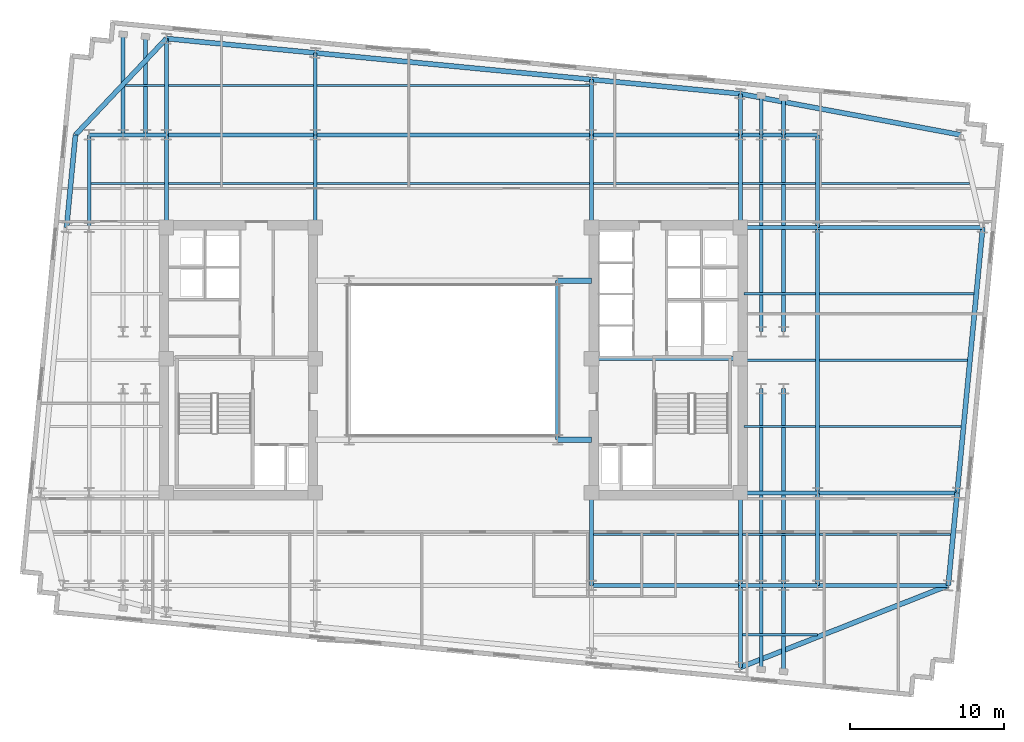
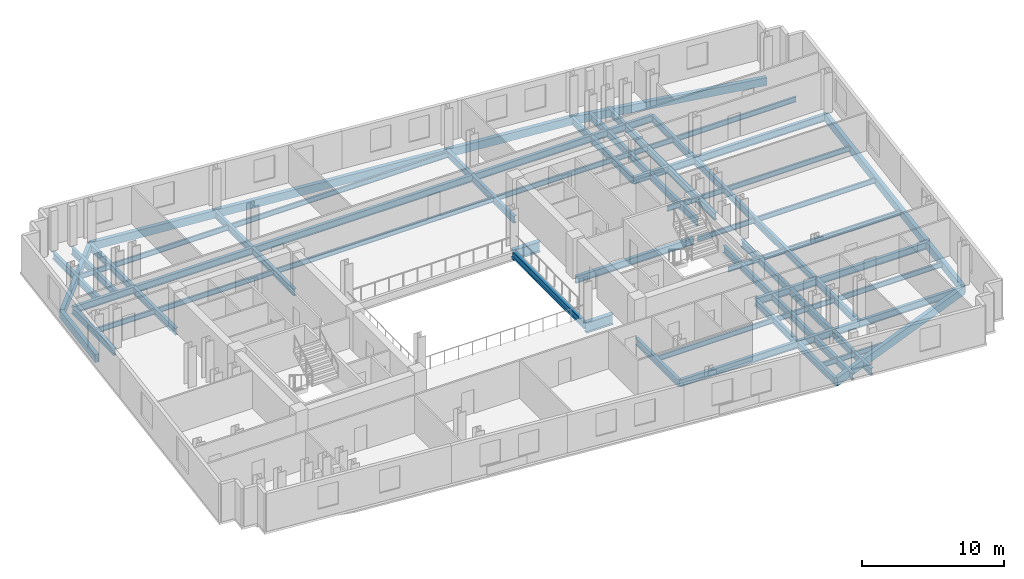
# One storey, part 2 of 9: 69 beams.
"""IFC4 building model written with IfcOpenShell, lengths in metres."""

from ifc_helpers import new_model, si_unit, direction, frame, origin, origin_2d, place, context, subcontext, project, spatial, rectangle, i_section, extrude, material, material_profile, profile_set, type_object, element, save


model = new_model("IFC4")

# Units and contexts
model_context = context("Model", 3, precision=1e-05, world=origin(), true_north=direction((0.0, 1.0)))
body_context = subcontext(model_context, "Body", "Model", "MODEL_VIEW")
ifc_project = project(units=[si_unit("LENGTHUNIT", "METRE"), si_unit("AREAUNIT", "SQUARE_METRE"), si_unit("VOLUMEUNIT", "CUBIC_METRE"), si_unit("PLANEANGLEUNIT", "RADIAN"), si_unit("MASSUNIT", "GRAM", prefix="KILO")], contexts=[model_context])

# Site, building, storey
site_placement = place(None, origin())
site = spatial("IfcSite", under=ifc_project, at=site_placement, CompositionType="ELEMENT")
building_placement = place(site_placement, origin())
building = spatial("IfcBuilding", under=site, at=building_placement, Name="Velakula Bourse", CompositionType="ELEMENT")
storey_placement = place(building_placement, frame((0.0, 0.0, 177.64990234375)))
storey = spatial("IfcBuildingStorey", under=building, at=storey_placement, Name="L48", CompositionType="ELEMENT", Elevation=177.64990234375)

# Beams
ifc_material_1 = material(Name="Steel IS 2062 Grade 350 (E350)", Category="steel")
ifc_material_profile_1 = material_profile(ifc_material_1, i_section(OverallWidth=0.25, OverallDepth=0.60009765625, WebThickness=0.01123046875, FlangeThickness=0.021240234375, at=origin_2d()), Name="Steel IS 2062 Grade 350 (E350)")
ifc_profile_set_1 = profile_set([ifc_material_profile_1], Name="Steel IS 2062 Grade 350 (E350)")
beam_type_1 = type_object("IfcBeamType", Name="BM-GRD-600M", PredefinedType="BEAM", material=ifc_profile_set_1)
beam_1_placement = place(storey_placement, frame((8.949951171875, 0.10009765625, -0.47998046875), z_axis=(1.0, 0.0, 0.0), x_axis=(0.0, 1.0, 0.0)))
element("IfcBeam", 1, at=beam_1_placement, inside=storey, type_object=beam_type_1, Name="L48 Primary Backbone Girder CRE-M", PredefinedType="BEAM", context=body_context, shape_type="SweptSolid", body=[
    extrude(i_section(OverallWidth=0.25, OverallDepth=0.60009765625, WebThickness=0.01123046875, FlangeThickness=0.021240234375, at=origin_2d()), origin(), (0.0, 0.0, 1.0), 9.650146484375),
])
beam_2_placement = place(storey_placement, frame((6.75, -5.14990234375, -0.47998046875), z_axis=(0.0, 1.0, 0.0), x_axis=(-1.0, 0.0, 0.0)))
element("IfcBeam", 2, at=beam_2_placement, inside=storey, type_object=beam_type_1, Name="L48 Primary Backbone Girder SPN-E", PredefinedType="BEAM", context=body_context, shape_type="SweptSolid", body=[
    extrude(i_section(OverallWidth=0.25, OverallDepth=0.60009765625, WebThickness=0.01123046875, FlangeThickness=0.021240234375, at=origin_2d()), origin(), (0.0, 0.0, 1.0), 10.2998046875),
])
for number, where, z_axis, x_axis, name in (
    (3, (-18.60009765625, 8.60009765625, -0.47998046875), (0.0, 1.0, 0.0), (-1.0, 0.0, 0.0), "L48 Fulcrum Grid Girder FLC-WN"),
    (4, (-8.949951171875, 8.60009765625, -0.47998046875), (0.0, 1.0, 0.0), (-1.0, 0.0, 0.0), "L48 Fulcrum Grid Girder FLC-WCN"),
    (5, (8.949951171875, -14.60009765625, -0.47998046875), (0.0, 1.0, 0.0), (-1.0, 0.0, 0.0), "L48 Fulcrum Grid Girder FLC-ECS"),
    (6, (8.949951171875, 8.60009765625, -0.47998046875), (0.0, 1.0, 0.0), (-1.0, 0.0, 0.0), "L48 Fulcrum Grid Girder FLC-ECN"),
    (7, (18.60009765625, -14.60009765625, -0.47998046875), (0.0, 1.0, 0.0), (-1.0, 0.0, 0.0), "L48 Fulcrum Grid Girder FLC-ES"),
    (8, (18.60009765625, 8.60009765625, -0.47998046875), (0.0, 1.0, 0.0), (-1.0, 0.0, 0.0), "L48 Fulcrum Grid Girder FLC-EN"),
):
    element("IfcBeam", number, at=place(storey_placement, frame(where, z_axis=z_axis, x_axis=x_axis)), inside=storey, type_object=beam_type_1, Name=name, PredefinedType="BEAM", context=body_context, shape_type="SweptSolid", body=[
        extrude(i_section(OverallWidth=0.25, OverallDepth=0.60009765625, WebThickness=0.01123046875, FlangeThickness=0.021240234375, at=origin_2d()), origin(), (0.0, 0.0, 1.0), 6.0),
    ])
for number, where, z_axis, x_axis, name in (
    (9, (8.949951171875, -14.60009765625, -0.47998046875), (1.0, 0.0, 0.0), (0.0, 1.0, 0.0), "L48 Fulcrum Grid Girder FLC-S3"),
    (10, (-18.60009765625, 14.60009765625, -0.47998046875), (1.0, 0.0, 0.0), (0.0, 1.0, 0.0), "L48 Fulcrum Grid Girder FLC-N1"),
):
    element("IfcBeam", number, at=place(storey_placement, frame(where, z_axis=z_axis, x_axis=x_axis)), inside=storey, type_object=beam_type_1, Name=name, PredefinedType="BEAM", context=body_context, shape_type="SweptSolid", body=[
        extrude(i_section(OverallWidth=0.25, OverallDepth=0.60009765625, WebThickness=0.01123046875, FlangeThickness=0.021240234375, at=origin_2d()), origin(), (0.0, 0.0, 1.0), 9.650146484375),
    ])
beam_3_placement = place(storey_placement, frame((-8.949951171875, 14.60009765625, -0.47998046875), z_axis=(1.0, 0.0, 0.0), x_axis=(0.0, 1.0, 0.0)))
element("IfcBeam", 11, at=beam_3_placement, inside=storey, type_object=beam_type_1, Name="L48 Fulcrum Grid Girder FLC-N2", PredefinedType="BEAM", context=body_context, shape_type="SweptSolid", body=[
    extrude(i_section(OverallWidth=0.25, OverallDepth=0.60009765625, WebThickness=0.01123046875, FlangeThickness=0.021240234375, at=origin_2d()), origin(), (0.0, 0.0, 1.0), 17.89990234375),
])
beam_4_placement = place(storey_placement, frame((8.949951171875, 14.60009765625, -0.47998046875), z_axis=(1.0, 0.0, 0.0), x_axis=(0.0, 1.0, 0.0)))
element("IfcBeam", 12, at=beam_4_placement, inside=storey, type_object=beam_type_1, Name="L48 Fulcrum Grid Girder FLC-N3", PredefinedType="BEAM", context=body_context, shape_type="SweptSolid", body=[
    extrude(i_section(OverallWidth=0.25, OverallDepth=0.60009765625, WebThickness=0.01123046875, FlangeThickness=0.021240234375, at=origin_2d()), origin(), (0.0, 0.0, 1.0), 9.650146484375),
])
for number, where, z_axis, x_axis, name in (
    (13, (19.949951171875, -14.60009765625, -0.47998046875), (0.0, 1.0, 0.0), (-1.0, 0.0, 0.0), "L48 Fulcrum Grid Girder FLC-PSE1"),
    (14, (19.949951171875, 1.85009765625, -0.47998046875), (0.0, 1.0, 0.0), (-1.0, 0.0, 0.0), "L48 Fulcrum Grid Girder FLC-PNE1"),
    (15, (21.39990234375, -14.60009765625, -0.47998046875), (0.0, 1.0, 0.0), (-1.0, 0.0, 0.0), "L48 Fulcrum Grid Girder FLC-PSE2"),
    (16, (21.39990234375, 1.85009765625, -0.47998046875), (0.0, 1.0, 0.0), (-1.0, 0.0, 0.0), "L48 Fulcrum Grid Girder FLC-PNE2"),
):
    element("IfcBeam", number, at=place(storey_placement, frame(where, z_axis=z_axis, x_axis=x_axis)), inside=storey, type_object=beam_type_1, Name=name, PredefinedType="BEAM", context=body_context, shape_type="SweptSolid", body=[
        extrude(i_section(OverallWidth=0.25, OverallDepth=0.60009765625, WebThickness=0.01123046875, FlangeThickness=0.021240234375, at=origin_2d()), origin(), (0.0, 0.0, 1.0), 12.75),
    ])
beam_5_placement = place(storey_placement, frame((-23.60009765625, 14.60009765625, -0.47998046875), z_axis=(1.0, 0.0, 0.0), x_axis=(0.0, 1.0, 0.0)))
element("IfcBeam", 17, at=beam_5_placement, inside=storey, type_object=beam_type_1, Name="L48 Fulcrum Grid Girder MWG-WN2", PredefinedType="BEAM", context=body_context, shape_type="SweptSolid", body=[
    extrude(i_section(OverallWidth=0.25, OverallDepth=0.60009765625, WebThickness=0.01123046875, FlangeThickness=0.021240234375, at=origin_2d()), origin(), (0.0, 0.0, 1.0), 5.0),
])
beam_6_placement = place(storey_placement, frame((-23.60009765625, 8.60009765625, -0.47998046875), z_axis=(0.0, 1.0, 0.0), x_axis=(-1.0, 0.0, 0.0)))
element("IfcBeam", 18, at=beam_6_placement, inside=storey, type_object=beam_type_1, Name="L48 Fulcrum Grid Girder MWG-WNS3", PredefinedType="BEAM", context=body_context, shape_type="SweptSolid", body=[
    extrude(i_section(OverallWidth=0.25, OverallDepth=0.60009765625, WebThickness=0.01123046875, FlangeThickness=0.021240234375, at=origin_2d()), origin(), (0.0, 0.0, 1.0), 6.0),
])
for number, where, z_axis, x_axis, name in (
    (19, (18.60009765625, -14.60009765625, -0.47998046875), (1.0, 0.0, 0.0), (0.0, 1.0, 0.0), "L48 Fulcrum Grid Girder MWG-ES1"),
    (20, (18.60009765625, -8.60009765625, -0.47998046875), (1.0, 0.0, 0.0), (0.0, 1.0, 0.0), "L48 Fulcrum Grid Girder MWG-ES2"),
    (21, (18.60009765625, 8.60009765625, -0.47998046875), (1.0, 0.0, 0.0), (0.0, 1.0, 0.0), "L48 Fulcrum Grid Girder MWG-EN1"),
    (22, (18.60009765625, 14.60009765625, -0.47998046875), (1.0, 0.0, 0.0), (0.0, 1.0, 0.0), "L48 Fulcrum Grid Girder MWG-EN2"),
):
    element("IfcBeam", number, at=place(storey_placement, frame(where, z_axis=z_axis, x_axis=x_axis)), inside=storey, type_object=beam_type_1, Name=name, PredefinedType="BEAM", context=body_context, shape_type="SweptSolid", body=[
        extrude(i_section(OverallWidth=0.25, OverallDepth=0.60009765625, WebThickness=0.01123046875, FlangeThickness=0.021240234375, at=origin_2d()), origin(), (0.0, 0.0, 1.0), 5.0),
    ])
beam_7_placement = place(storey_placement, frame((23.60009765625, -14.60009765625, -0.47998046875), z_axis=(0.0, 1.0, 0.0), x_axis=(-1.0, 0.0, 0.0)))
element("IfcBeam", 23, at=beam_7_placement, inside=storey, type_object=beam_type_1, Name="L48 Fulcrum Grid Girder MWG-ENS1", PredefinedType="BEAM", context=body_context, shape_type="SweptSolid", body=[
    extrude(i_section(OverallWidth=0.25, OverallDepth=0.60009765625, WebThickness=0.01123046875, FlangeThickness=0.021240234375, at=origin_2d()), origin(), (0.0, 0.0, 1.0), 6.0),
])
beam_8_placement = place(storey_placement, frame((23.60009765625, -8.60009765625, -0.47998046875), z_axis=(0.0, 1.0, 0.0), x_axis=(-1.0, 0.0, 0.0)))
element("IfcBeam", 24, at=beam_8_placement, inside=storey, type_object=beam_type_1, Name="L48 Fulcrum Grid Girder MWG-ENS2", PredefinedType="BEAM", context=body_context, shape_type="SweptSolid", body=[
    extrude(i_section(OverallWidth=0.25, OverallDepth=0.60009765625, WebThickness=0.01123046875, FlangeThickness=0.021240234375, at=origin_2d()), origin(), (0.0, 0.0, 1.0), 17.2001953125),
])
beam_9_placement = place(storey_placement, frame((23.60009765625, 8.60009765625, -0.47998046875), z_axis=(0.0, 1.0, 0.0), x_axis=(-1.0, 0.0, 0.0)))
element("IfcBeam", 25, at=beam_9_placement, inside=storey, type_object=beam_type_1, Name="L48 Fulcrum Grid Girder MWG-ENS3", PredefinedType="BEAM", context=body_context, shape_type="SweptSolid", body=[
    extrude(i_section(OverallWidth=0.25, OverallDepth=0.60009765625, WebThickness=0.01123046875, FlangeThickness=0.021240234375, at=origin_2d()), origin(), (0.0, 0.0, 1.0), 6.0),
])
beam_10_placement = place(storey_placement, frame((18.60009765625, -14.60009765625, -0.47998046875), z_axis=(0.0, -1.0, 0.0), x_axis=(1.0, 0.0, 0.0)))
element("IfcBeam", 26, at=beam_10_placement, inside=storey, type_object=beam_type_1, Name="L48 Perimeter Tie Girder S4", PredefinedType="BEAM", context=body_context, shape_type="SweptSolid", body=[
    extrude(i_section(OverallWidth=0.25, OverallDepth=0.60009765625, WebThickness=0.01123046875, FlangeThickness=0.021240234375, at=origin_2d()), origin(), (0.0, 0.0, 1.0), 5.310546875),
])
beam_11_placement = place(storey_placement, frame((-18.60009765625, 14.60009765625, -0.47998046875), z_axis=(0.0, 1.0, 0.0), x_axis=(-1.0, 0.0, 0.0)))
element("IfcBeam", 27, at=beam_11_placement, inside=storey, type_object=beam_type_1, Name="L48 Perimeter Tie Girder N1", PredefinedType="BEAM", context=body_context, shape_type="SweptSolid", body=[
    extrude(i_section(OverallWidth=0.25, OverallDepth=0.60009765625, WebThickness=0.01123046875, FlangeThickness=0.021240234375, at=origin_2d()), origin(), (0.0, 0.0, 1.0), 6.2421875),
])
beam_12_placement = place(storey_placement, frame((-8.949951171875, 14.60009765625, -0.47998046875), z_axis=(0.0, 1.0, 0.0), x_axis=(-1.0, 0.0, 0.0)))
element("IfcBeam", 28, at=beam_12_placement, inside=storey, type_object=beam_type_1, Name="L48 Perimeter Tie Girder N2", PredefinedType="BEAM", context=body_context, shape_type="SweptSolid", body=[
    extrude(i_section(OverallWidth=0.25, OverallDepth=0.60009765625, WebThickness=0.01123046875, FlangeThickness=0.021240234375, at=origin_2d()), origin(), (0.0, 0.0, 1.0), 5.31298828125),
])
beam_13_placement = place(storey_placement, frame((8.949951171875, 14.60009765625, -0.47998046875), z_axis=(0.0, 1.0, 0.0), x_axis=(-1.0, 0.0, 0.0)))
element("IfcBeam", 29, at=beam_13_placement, inside=storey, type_object=beam_type_1, Name="L48 Perimeter Tie Girder N3", PredefinedType="BEAM", context=body_context, shape_type="SweptSolid", body=[
    extrude(i_section(OverallWidth=0.25, OverallDepth=0.60009765625, WebThickness=0.01123046875, FlangeThickness=0.021240234375, at=origin_2d()), origin(), (0.0, 0.0, 1.0), 3.589599609375),
])
beam_14_placement = place(storey_placement, frame((18.60009765625, 14.60009765625, -0.47998046875), z_axis=(0.0, 1.0, 0.0), x_axis=(-1.0, 0.0, 0.0)))
element("IfcBeam", 30, at=beam_14_placement, inside=storey, type_object=beam_type_1, Name="L48 Perimeter Tie Girder N4", PredefinedType="BEAM", context=body_context, shape_type="SweptSolid", body=[
    extrude(i_section(OverallWidth=0.25, OverallDepth=0.60009765625, WebThickness=0.01123046875, FlangeThickness=0.021240234375, at=origin_2d()), origin(), (0.0, 0.0, 1.0), 2.660400390625),
])
beam_15_placement = place(storey_placement, frame((23.60009765625, -14.60009765625, -0.47998046875), z_axis=(1.0, 0.0, 0.0), x_axis=(0.0, 1.0, 0.0)))
element("IfcBeam", 31, at=beam_15_placement, inside=storey, type_object=beam_type_1, Name="L48 Perimeter Tie Girder E1", PredefinedType="BEAM", context=body_context, shape_type="SweptSolid", body=[
    extrude(i_section(OverallWidth=0.25, OverallDepth=0.60009765625, WebThickness=0.01123046875, FlangeThickness=0.021240234375, at=origin_2d()), origin(), (0.0, 0.0, 1.0), 8.47119140625),
])
beam_16_placement = place(storey_placement, frame((23.60009765625, -8.60009765625, -0.47998046875), z_axis=(1.0, 0.0, 0.0), x_axis=(0.0, 1.0, 0.0)))
element("IfcBeam", 32, at=beam_16_placement, inside=storey, type_object=beam_type_1, Name="L48 Perimeter Tie Girder E2", PredefinedType="BEAM", context=body_context, shape_type="SweptSolid", body=[
    extrude(i_section(OverallWidth=0.25, OverallDepth=0.60009765625, WebThickness=0.01123046875, FlangeThickness=0.021240234375, at=origin_2d()), origin(), (0.0, 0.0, 1.0), 9.048828125),
])
beam_17_placement = place(storey_placement, frame((23.60009765625, 8.60009765625, -0.47998046875), z_axis=(1.0, 0.0, 0.0), x_axis=(0.0, 1.0, 0.0)))
element("IfcBeam", 33, at=beam_17_placement, inside=storey, type_object=beam_type_1, Name="L48 Perimeter Tie Girder E3", PredefinedType="BEAM", context=body_context, shape_type="SweptSolid", body=[
    extrude(i_section(OverallWidth=0.25, OverallDepth=0.60009765625, WebThickness=0.01123046875, FlangeThickness=0.021240234375, at=origin_2d()), origin(), (0.0, 0.0, 1.0), 10.705078125),
])
beam_18_placement = place(storey_placement, frame((19.949951171875, -14.60009765625, -0.47998046875), z_axis=(0.0, -1.0, 0.0), x_axis=(1.0, 0.0, 0.0)))
element("IfcBeam", 34, at=beam_18_placement, inside=storey, type_object=beam_type_1, Name="L48 Perimeter Tie Girder P03", PredefinedType="BEAM", context=body_context, shape_type="SweptSolid", body=[
    extrude(i_section(OverallWidth=0.25, OverallDepth=0.60009765625, WebThickness=0.01123046875, FlangeThickness=0.021240234375, at=origin_2d()), origin(), (0.0, 0.0, 1.0), 5.4404296875),
])
beam_19_placement = place(storey_placement, frame((21.39990234375, -14.60009765625, -0.47998046875), z_axis=(0.0, -1.0, 0.0), x_axis=(1.0, 0.0, 0.0)))
element("IfcBeam", 35, at=beam_19_placement, inside=storey, type_object=beam_type_1, Name="L48 Perimeter Tie Girder P04", PredefinedType="BEAM", context=body_context, shape_type="SweptSolid", body=[
    extrude(i_section(OverallWidth=0.25, OverallDepth=0.60009765625, WebThickness=0.01123046875, FlangeThickness=0.021240234375, at=origin_2d()), origin(), (0.0, 0.0, 1.0), 5.580322265625),
])
beam_20_placement = place(storey_placement, frame((-21.39990234375, 14.60009765625, -0.47998046875), z_axis=(0.0, 1.0, 0.0), x_axis=(-1.0, 0.0, 0.0)))
element("IfcBeam", 36, at=beam_20_placement, inside=storey, type_object=beam_type_1, Name="L48 Perimeter Tie Girder P05", PredefinedType="BEAM", context=body_context, shape_type="SweptSolid", body=[
    extrude(i_section(OverallWidth=0.25, OverallDepth=0.60009765625, WebThickness=0.01123046875, FlangeThickness=0.021240234375, at=origin_2d()), origin(), (0.0, 0.0, 1.0), 6.511962890625),
])
beam_21_placement = place(storey_placement, frame((-19.949951171875, 14.60009765625, -0.47998046875), z_axis=(0.0, 1.0, 0.0), x_axis=(-1.0, 0.0, 0.0)))
element("IfcBeam", 37, at=beam_21_placement, inside=storey, type_object=beam_type_1, Name="L48 Perimeter Tie Girder P06", PredefinedType="BEAM", context=body_context, shape_type="SweptSolid", body=[
    extrude(i_section(OverallWidth=0.25, OverallDepth=0.60009765625, WebThickness=0.01123046875, FlangeThickness=0.021240234375, at=origin_2d()), origin(), (0.0, 0.0, 1.0), 6.372314453125),
])
beam_22_placement = place(storey_placement, frame((19.949951171875, 14.60009765625, -0.47998046875), z_axis=(0.0, 1.0, 0.0), x_axis=(-1.0, 0.0, 0.0)))
element("IfcBeam", 38, at=beam_22_placement, inside=storey, type_object=beam_type_1, Name="L48 Perimeter Tie Girder P07", PredefinedType="BEAM", context=body_context, shape_type="SweptSolid", body=[
    extrude(i_section(OverallWidth=0.25, OverallDepth=0.60009765625, WebThickness=0.01123046875, FlangeThickness=0.021240234375, at=origin_2d()), origin(), (0.0, 0.0, 1.0), 2.530517578125),
])
beam_23_placement = place(storey_placement, frame((21.39990234375, 14.60009765625, -0.47998046875), z_axis=(0.0, 1.0, 0.0), x_axis=(-1.0, 0.0, 0.0)))
element("IfcBeam", 39, at=beam_23_placement, inside=storey, type_object=beam_type_1, Name="L48 Perimeter Tie Girder P08", PredefinedType="BEAM", context=body_context, shape_type="SweptSolid", body=[
    extrude(i_section(OverallWidth=0.25, OverallDepth=0.60009765625, WebThickness=0.01123046875, FlangeThickness=0.021240234375, at=origin_2d()), origin(), (0.0, 0.0, 1.0), 2.390869140625),
])
ifc_material_profile_2 = material_profile(ifc_material_1, i_section(OverallWidth=0.35009765625, OverallDepth=0.89990234375, WebThickness=0.02001953125, FlangeThickness=0.031982421875, at=origin_2d()), Name="Steel IS 2062 Grade 350 (E350)")
ifc_profile_set_2 = profile_set([ifc_material_profile_2], Name="Steel IS 2062 Grade 350 (E350)")
beam_type_2 = type_object("IfcBeamType", Name="BM-LNK-900", PredefinedType="BEAM", material=ifc_profile_set_2)
for number, where, z_axis, x_axis, name in (
    (40, (6.75, -5.14990234375, -0.6298828125), (1.0, 0.0, 0.0), (0.0, 1.0, 0.0), "L48 Primary Backbone Girder LNK-S3"),
    (41, (6.75, 5.14990234375, -0.6298828125), (1.0, 0.0, 0.0), (0.0, 1.0, 0.0), "L48 Primary Backbone Girder LNK-N3"),
):
    element("IfcBeam", number, at=place(storey_placement, frame(where, z_axis=z_axis, x_axis=x_axis)), inside=storey, type_object=beam_type_2, Name=name, PredefinedType="BEAM", context=body_context, shape_type="SweptSolid", body=[
        extrude(i_section(OverallWidth=0.35009765625, OverallDepth=0.89990234375, WebThickness=0.02001953125, FlangeThickness=0.031982421875, at=origin_2d()), origin(), (0.0, 0.0, 1.0), 2.199951171875),
    ])
ifc_material_profile_3 = material_profile(ifc_material_1, i_section(OverallWidth=0.14990234375, OverallDepth=0.449951171875, WebThickness=0.009521484375, FlangeThickness=0.017333984375, at=origin_2d()), Name="Steel IS 2062 Grade 350 (E350)")
ifc_profile_set_3 = profile_set([ifc_material_profile_3], Name="Steel IS 2062 Grade 350 (E350)")
beam_type_3 = type_object("IfcBeamType", Name="JST-TWR-450", PredefinedType="JOIST", material=ifc_profile_set_3)
beam_24_placement = place(storey_placement, frame((18.72509765625, -17.800048828125, -0.40478515625), z_axis=(1.0, 0.0, 0.0), x_axis=(0.0, 1.0, 0.0)))
element("IfcBeam", 42, at=beam_24_placement, inside=storey, type_object=beam_type_3, Name="L48 Trading Floor Composite Joist 03", PredefinedType="JOIST", context=body_context, shape_type="SweptSolid", body=[
    extrude(i_section(OverallWidth=0.14990234375, OverallDepth=0.449951171875, WebThickness=0.009521484375, FlangeThickness=0.017333984375, at=origin_2d()), origin(), (0.0, 0.0, 1.0), 4.875),
])
beam_25_placement = place(storey_placement, frame((9.074951171875, -11.300048828125, -0.40478515625), z_axis=(1.0, 0.0, 0.0), x_axis=(0.0, 1.0, 0.0)))
element("IfcBeam", 43, at=beam_25_placement, inside=storey, type_object=beam_type_3, Name="L48 Trading Floor Composite Joist 08", PredefinedType="JOIST", context=body_context, shape_type="SweptSolid", body=[
    extrude(i_section(OverallWidth=0.14990234375, OverallDepth=0.449951171875, WebThickness=0.009521484375, FlangeThickness=0.017333984375, at=origin_2d()), origin(), (0.0, 0.0, 1.0), 9.400146484375),
])
beam_26_placement = place(storey_placement, frame((18.72509765625, -11.300048828125, -0.40478515625), z_axis=(1.0, 0.0, 0.0), x_axis=(0.0, 1.0, 0.0)))
element("IfcBeam", 44, at=beam_26_placement, inside=storey, type_object=beam_type_3, Name="L48 Trading Floor Composite Joist 09", PredefinedType="JOIST", context=body_context, shape_type="SweptSolid", body=[
    extrude(i_section(OverallWidth=0.14990234375, OverallDepth=0.449951171875, WebThickness=0.009521484375, FlangeThickness=0.017333984375, at=origin_2d()), origin(), (0.0, 0.0, 1.0), 4.75),
])
beam_27_placement = place(storey_placement, frame((23.72509765625, -11.300048828125, -0.40478515625), z_axis=(1.0, 0.0, 0.0), x_axis=(0.0, 1.0, 0.0)))
element("IfcBeam", 45, at=beam_27_placement, inside=storey, type_object=beam_type_3, Name="L48 Trading Floor Composite Joist 10", PredefinedType="JOIST", context=body_context, shape_type="SweptSolid", body=[
    extrude(i_section(OverallWidth=0.14990234375, OverallDepth=0.449951171875, WebThickness=0.009521484375, FlangeThickness=0.017333984375, at=origin_2d()), origin(), (0.0, 0.0, 1.0), 8.503173828125),
])
beam_28_placement = place(storey_placement, frame((-23.47509765625, 11.449951171875, -0.40478515625), z_axis=(1.0, 0.0, 0.0), x_axis=(0.0, 1.0, 0.0)))
element("IfcBeam", 46, at=beam_28_placement, inside=storey, type_object=beam_type_3, Name="L48 Trading Floor Composite Joist 11", PredefinedType="JOIST", context=body_context, shape_type="SweptSolid", body=[
    extrude(i_section(OverallWidth=0.14990234375, OverallDepth=0.449951171875, WebThickness=0.009521484375, FlangeThickness=0.017333984375, at=origin_2d()), origin(), (0.0, 0.0, 1.0), 4.75),
])
beam_29_placement = place(storey_placement, frame((-18.47509765625, 11.449951171875, -0.40478515625), z_axis=(1.0, 0.0, 0.0), x_axis=(0.0, 1.0, 0.0)))
element("IfcBeam", 47, at=beam_29_placement, inside=storey, type_object=beam_type_3, Name="L48 Trading Floor Composite Joist 12", PredefinedType="JOIST", context=body_context, shape_type="SweptSolid", body=[
    extrude(i_section(OverallWidth=0.14990234375, OverallDepth=0.449951171875, WebThickness=0.009521484375, FlangeThickness=0.017333984375, at=origin_2d()), origin(), (0.0, 0.0, 1.0), 9.400146484375),
])
beam_30_placement = place(storey_placement, frame((-8.824951171875, 11.449951171875, -0.40478515625), z_axis=(1.0, 0.0, 0.0), x_axis=(0.0, 1.0, 0.0)))
element("IfcBeam", 48, at=beam_30_placement, inside=storey, type_object=beam_type_3, Name="L48 Trading Floor Composite Joist 13", PredefinedType="JOIST", context=body_context, shape_type="SweptSolid", body=[
    extrude(i_section(OverallWidth=0.14990234375, OverallDepth=0.449951171875, WebThickness=0.009521484375, FlangeThickness=0.017333984375, at=origin_2d()), origin(), (0.0, 0.0, 1.0), 17.64990234375),
])
beam_31_placement = place(storey_placement, frame((9.074951171875, 11.449951171875, -0.40478515625), z_axis=(1.0, 0.0, 0.0), x_axis=(0.0, 1.0, 0.0)))
element("IfcBeam", 49, at=beam_31_placement, inside=storey, type_object=beam_type_3, Name="L48 Trading Floor Composite Joist 14", PredefinedType="JOIST", context=body_context, shape_type="SweptSolid", body=[
    extrude(i_section(OverallWidth=0.14990234375, OverallDepth=0.449951171875, WebThickness=0.009521484375, FlangeThickness=0.017333984375, at=origin_2d()), origin(), (0.0, 0.0, 1.0), 9.400146484375),
])
beam_32_placement = place(storey_placement, frame((18.72509765625, 11.449951171875, -0.40478515625), z_axis=(1.0, 0.0, 0.0), x_axis=(0.0, 1.0, 0.0)))
element("IfcBeam", 50, at=beam_32_placement, inside=storey, type_object=beam_type_3, Name="L48 Trading Floor Composite Joist 15", PredefinedType="JOIST", context=body_context, shape_type="SweptSolid", body=[
    extrude(i_section(OverallWidth=0.14990234375, OverallDepth=0.449951171875, WebThickness=0.009521484375, FlangeThickness=0.017333984375, at=origin_2d()), origin(), (0.0, 0.0, 1.0), 4.75),
])
beam_33_placement = place(storey_placement, frame((23.72509765625, 11.449951171875, -0.40478515625), z_axis=(1.0, 0.0, 0.0), x_axis=(0.0, 1.0, 0.0)))
element("IfcBeam", 51, at=beam_33_placement, inside=storey, type_object=beam_type_3, Name="L48 Trading Floor Composite Joist 16", PredefinedType="JOIST", context=body_context, shape_type="SweptSolid", body=[
    extrude(i_section(OverallWidth=0.14990234375, OverallDepth=0.449951171875, WebThickness=0.009521484375, FlangeThickness=0.017333984375, at=origin_2d()), origin(), (0.0, 0.0, 1.0), 9.735595703125),
])
beam_34_placement = place(storey_placement, frame((-21.2509765625, 17.800048828125, -0.40478515625), z_axis=(1.0, 0.0, 0.0), x_axis=(0.0, 1.0, 0.0)))
element("IfcBeam", 52, at=beam_34_placement, inside=storey, type_object=beam_type_3, Name="L48 Trading Floor Composite Joist 17", PredefinedType="JOIST", context=body_context, shape_type="SweptSolid", body=[
    extrude(i_section(OverallWidth=0.14990234375, OverallDepth=0.449951171875, WebThickness=0.009521484375, FlangeThickness=0.017333984375, at=origin_2d()), origin(), (0.0, 0.0, 1.0), 2.52587890625),
])
beam_35_placement = place(storey_placement, frame((-18.47509765625, 17.800048828125, -0.40478515625), z_axis=(1.0, 0.0, 0.0), x_axis=(0.0, 1.0, 0.0)))
element("IfcBeam", 53, at=beam_35_placement, inside=storey, type_object=beam_type_3, Name="L48 Trading Floor Composite Joist 18", PredefinedType="JOIST", context=body_context, shape_type="SweptSolid", body=[
    extrude(i_section(OverallWidth=0.14990234375, OverallDepth=0.449951171875, WebThickness=0.009521484375, FlangeThickness=0.017333984375, at=origin_2d()), origin(), (0.0, 0.0, 1.0), 9.400146484375),
])
beam_36_placement = place(storey_placement, frame((-8.824951171875, 17.800048828125, -0.40478515625), z_axis=(1.0, 0.0, 0.0), x_axis=(0.0, 1.0, 0.0)))
element("IfcBeam", 54, at=beam_36_placement, inside=storey, type_object=beam_type_3, Name="L48 Trading Floor Composite Joist 19", PredefinedType="JOIST", context=body_context, shape_type="SweptSolid", body=[
    extrude(i_section(OverallWidth=0.14990234375, OverallDepth=0.449951171875, WebThickness=0.009521484375, FlangeThickness=0.017333984375, at=origin_2d()), origin(), (0.0, 0.0, 1.0), 17.64990234375),
])
beam_37_placement = place(storey_placement, frame((18.85009765625, -4.300048828125, -0.40478515625), z_axis=(1.0, 0.0, 0.0), x_axis=(0.0, 1.0, 0.0)))
element("IfcBeam", 55, at=beam_37_placement, inside=storey, type_object=beam_type_3, Name="L48 Trading Floor Composite Joist 23", PredefinedType="JOIST", context=body_context, shape_type="SweptSolid", body=[
    extrude(i_section(OverallWidth=0.14990234375, OverallDepth=0.449951171875, WebThickness=0.009521484375, FlangeThickness=0.017333984375, at=origin_2d()), origin(), (0.0, 0.0, 1.0), 4.625),
])
beam_38_placement = place(storey_placement, frame((23.72509765625, -4.300048828125, -0.40478515625), z_axis=(1.0, 0.0, 0.0), x_axis=(0.0, 1.0, 0.0)))
element("IfcBeam", 56, at=beam_38_placement, inside=storey, type_object=beam_type_3, Name="L48 Trading Floor Composite Joist 24", PredefinedType="JOIST", context=body_context, shape_type="SweptSolid", body=[
    extrude(i_section(OverallWidth=0.14990234375, OverallDepth=0.449951171875, WebThickness=0.009521484375, FlangeThickness=0.017333984375, at=origin_2d()), origin(), (0.0, 0.0, 1.0), 9.17724609375),
])
beam_39_placement = place(storey_placement, frame((18.85009765625, 0.0, -0.40478515625), z_axis=(1.0, 0.0, 0.0), x_axis=(0.0, 1.0, 0.0)))
element("IfcBeam", 57, at=beam_39_placement, inside=storey, type_object=beam_type_3, Name="L48 Trading Floor Composite Joist 27", PredefinedType="JOIST", context=body_context, shape_type="SweptSolid", body=[
    extrude(i_section(OverallWidth=0.14990234375, OverallDepth=0.449951171875, WebThickness=0.009521484375, FlangeThickness=0.017333984375, at=origin_2d()), origin(), (0.0, 0.0, 1.0), 4.625),
])
beam_40_placement = place(storey_placement, frame((23.72509765625, 0.0, -0.40478515625), z_axis=(1.0, 0.0, 0.0), x_axis=(0.0, 1.0, 0.0)))
element("IfcBeam", 58, at=beam_40_placement, inside=storey, type_object=beam_type_3, Name="L48 Trading Floor Composite Joist 28", PredefinedType="JOIST", context=body_context, shape_type="SweptSolid", body=[
    extrude(i_section(OverallWidth=0.14990234375, OverallDepth=0.449951171875, WebThickness=0.009521484375, FlangeThickness=0.017333984375, at=origin_2d()), origin(), (0.0, 0.0, 1.0), 9.59130859375),
])
beam_41_placement = place(storey_placement, frame((18.85009765625, 4.300048828125, -0.40478515625), z_axis=(1.0, 0.0, 0.0), x_axis=(0.0, 1.0, 0.0)))
element("IfcBeam", 59, at=beam_41_placement, inside=storey, type_object=beam_type_3, Name="L48 Trading Floor Composite Joist 30", PredefinedType="JOIST", context=body_context, shape_type="SweptSolid", body=[
    extrude(i_section(OverallWidth=0.14990234375, OverallDepth=0.449951171875, WebThickness=0.009521484375, FlangeThickness=0.017333984375, at=origin_2d()), origin(), (0.0, 0.0, 1.0), 4.625),
])
beam_42_placement = place(storey_placement, frame((23.72509765625, 4.300048828125, -0.40478515625), z_axis=(1.0, 0.0, 0.0), x_axis=(0.0, 1.0, 0.0)))
element("IfcBeam", 60, at=beam_42_placement, inside=storey, type_object=beam_type_3, Name="L48 Trading Floor Composite Joist 31", PredefinedType="JOIST", context=body_context, shape_type="SweptSolid", body=[
    extrude(i_section(OverallWidth=0.14990234375, OverallDepth=0.449951171875, WebThickness=0.009521484375, FlangeThickness=0.017333984375, at=origin_2d()), origin(), (0.0, 0.0, 1.0), 10.005126953125),
])
ifc_material_2 = material(Name="Precast concrete M45 (fck 45 MPa)", Category="concrete")
ifc_material_profile_4 = material_profile(ifc_material_2, rectangle(XDim=0.320068359375, YDim=0.679931640625, at=origin_2d()), Name="Precast concrete M45 (fck 45 MPa)")
ifc_profile_set_4 = profile_set([ifc_material_profile_4], Name="Precast concrete M45 (fck 45 MPa)")
beam_type_4 = type_object("IfcBeamType", Name="SPN-BRICK-680", PredefinedType="SPANDREL", material=ifc_profile_set_4)
beam_43_placement = place(storey_placement, frame((-18.60009765625, 20.84228515625, -0.52001953125), z_axis=(0.99539623971, -0.095845323155, 0.0), x_axis=(0.095845323155, 0.99539623971, 0.0)))
element("IfcBeam", 61, at=beam_43_placement, inside=storey, type_object=beam_type_4, Name="L48 Brick-Faced Precast Spandrel N1-N2", PredefinedType="SPANDREL", context=body_context, shape_type="SweptSolid", body=[
    extrude(rectangle(XDim=0.320068359375, YDim=0.679931640625, at=origin_2d()), origin(), (0.0, 0.0, 1.0), 9.69482421875),
])
beam_44_placement = place(storey_placement, frame((-8.949951171875, 19.9130859375, -0.52001953125), z_axis=(0.995397131467, -0.095836061418, 0.0), x_axis=(0.095836061418, 0.995397131467, 0.0)))
element("IfcBeam", 62, at=beam_44_placement, inside=storey, type_object=beam_type_4, Name="L48 Brick-Faced Precast Spandrel N2-N3", PredefinedType="SPANDREL", context=body_context, shape_type="SweptSolid", body=[
    extrude(rectangle(XDim=0.320068359375, YDim=0.679931640625, at=origin_2d()), origin(), (0.0, 0.0, 1.0), 17.982666015625),
])
beam_45_placement = place(storey_placement, frame((8.949951171875, 18.189697265625, -0.52001953125), z_axis=(0.99539623971, -0.095845323155, 0.0), x_axis=(0.095845323155, 0.99539623971, 0.0)))
element("IfcBeam", 63, at=beam_45_placement, inside=storey, type_object=beam_type_4, Name="L48 Brick-Faced Precast Spandrel N3-N4", PredefinedType="SPANDREL", context=body_context, shape_type="SweptSolid", body=[
    extrude(rectangle(XDim=0.320068359375, YDim=0.679931640625, at=origin_2d()), origin(), (0.0, 0.0, 1.0), 9.69482421875),
])
for number, where, z_axis, x_axis, name in (
    (64, (-25.068115234375, 8.60009765625, -0.52001953125), (0.095829714309, 0.995397742541, 0.0), (-0.995397742541, 0.095829714309, 0.0), "L48 Brick-Faced Precast Spandrel W3-W4"),
    (65, (32.0712890625, -14.60009765625, -0.52001953125), (0.095829714309, 0.995397742541, 0.0), (-0.995397742541, 0.095829714309, 0.0), "L48 Brick-Faced Precast Spandrel E1-E2"),
):
    element("IfcBeam", number, at=place(storey_placement, frame(where, z_axis=z_axis, x_axis=x_axis)), inside=storey, type_object=beam_type_4, Name=name, PredefinedType="SPANDREL", context=body_context, shape_type="SweptSolid", body=[
        extrude(rectangle(XDim=0.320068359375, YDim=0.679931640625, at=origin_2d()), origin(), (0.0, 0.0, 1.0), 6.02783203125),
    ])
beam_46_placement = place(storey_placement, frame((32.64892578125, -8.60009765625, -0.52001953125), z_axis=(0.095849167925, 0.995395869495, 0.0), x_axis=(-0.995395869495, 0.095849167925, 0.0)))
element("IfcBeam", 66, at=beam_46_placement, inside=storey, type_object=beam_type_4, Name="L48 Brick-Faced Precast Spandrel E2-E3", PredefinedType="SPANDREL", context=body_context, shape_type="SweptSolid", body=[
    extrude(rectangle(XDim=0.320068359375, YDim=0.679931640625, at=origin_2d()), origin(), (0.0, 0.0, 1.0), 17.27978515625),
])
beam_47_placement = place(storey_placement, frame((18.60009765625, -19.91064453125, -0.52001953125), z_axis=(0.930320901537, 0.366746533949, 0.0), x_axis=(-0.366746533949, 0.930320901537, 0.0)))
element("IfcBeam", 67, at=beam_47_placement, inside=storey, type_object=beam_type_4, Name="L48 Brick-Faced Precast Spandrel S4-E1", PredefinedType="SPANDREL", context=body_context, shape_type="SweptSolid", body=[
    extrude(rectangle(XDim=0.320068359375, YDim=0.679931640625, at=origin_2d()), origin(), (0.0, 0.0, 1.0), 14.480224609375),
])
beam_48_placement = place(storey_placement, frame((32.87353515625, 14.60009765625, -0.52001953125), z_axis=(-0.983069592122, 0.183232576378, 0.0), x_axis=(-0.183232576378, -0.983069592122, 0.0)))
element("IfcBeam", 68, at=beam_48_placement, inside=storey, type_object=beam_type_4, Name="L48 Brick-Faced Precast Spandrel E4-N4", PredefinedType="SPANDREL", context=body_context, shape_type="SweptSolid", body=[
    extrude(rectangle(XDim=0.320068359375, YDim=0.679931640625, at=origin_2d()), origin(), (0.0, 0.0, 1.0), 14.519287109375),
])
beam_49_placement = place(storey_placement, frame((-18.60009765625, 20.84228515625, -0.52001953125), z_axis=(-0.686314417505, -0.727304970645, 0.0), x_axis=(0.727304970645, -0.686314417505, 0.0)))
element("IfcBeam", 69, at=beam_49_placement, inside=storey, type_object=beam_type_4, Name="L48 Brick-Faced Precast Spandrel N1-W4", PredefinedType="SPANDREL", context=body_context, shape_type="SweptSolid", body=[
    extrude(rectangle(XDim=0.320068359375, YDim=0.679931640625, at=origin_2d()), origin(), (0.0, 0.0, 1.0), 8.58251953125),
])

save(model, "model.ifc")
